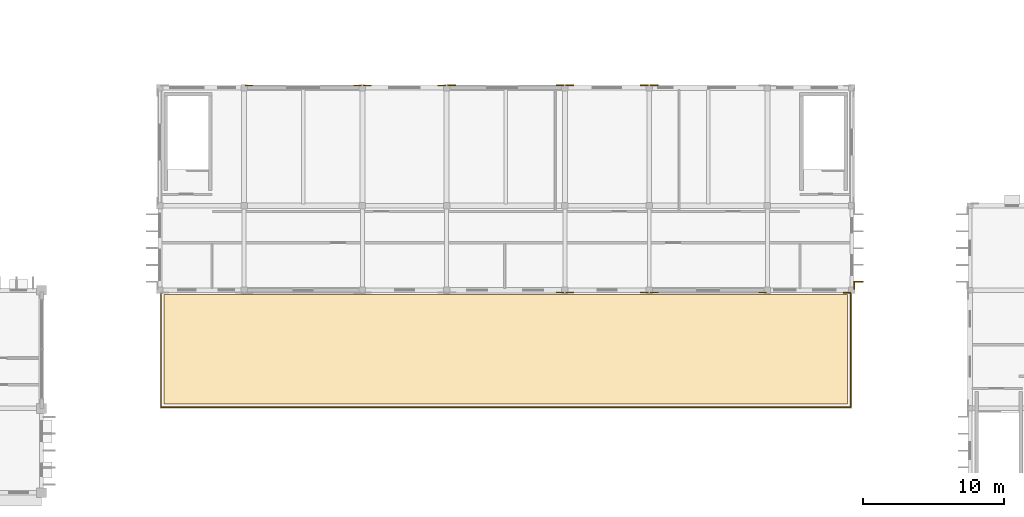
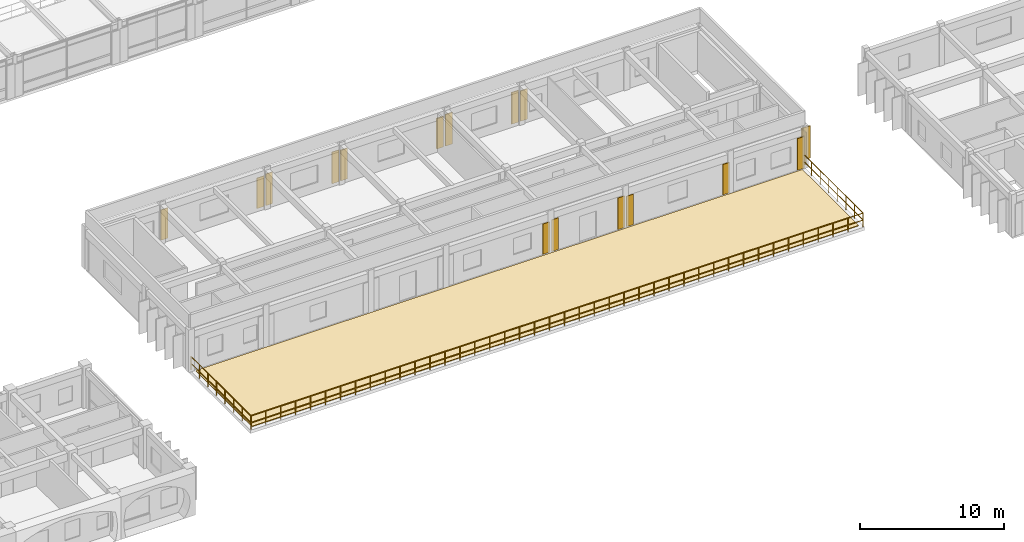
# One storey, part 74 of 88: 17 coverings, 1 railing, 1 shading device.
"""IFC4 building model written with IfcOpenShell, lengths in metres."""

from ifc_helpers import new_model, si_unit, direction, frame, origin, origin_2d, place, context, subcontext, project, spatial, polyline, rectangle, outline, extrude, material, layer, layer_set, type_object, element, save


model = new_model("IFC4")

# Units and contexts
model_context = context("Model", 3, precision=1e-05, world=origin(), true_north=direction((0.0, 1.0)))
body_context = subcontext(model_context, "Body", "Model", "MODEL_VIEW")
ifc_project = project(units=[si_unit("LENGTHUNIT", "METRE"), si_unit("AREAUNIT", "SQUARE_METRE"), si_unit("VOLUMEUNIT", "CUBIC_METRE"), si_unit("PLANEANGLEUNIT", "RADIAN"), si_unit("MASSUNIT", "GRAM", prefix="KILO"), si_unit("THERMODYNAMICTEMPERATUREUNIT", "KELVIN")], contexts=[model_context])

# Site, building, storey
site_placement = place(None, origin())
site = spatial("IfcSite", under=ifc_project, at=site_placement, CompositionType="ELEMENT")
building_placement = place(site_placement, origin())
building = spatial("IfcBuilding", under=site, at=building_placement, Name="Thalorik Housing Commons", CompositionType="ELEMENT")
storey_placement = place(building_placement, frame((0.0, 0.0, 4.5)))
storey = spatial("IfcBuildingStorey", under=building, at=storey_placement, Name="L01", CompositionType="ELEMENT", Elevation=4.5)

# Coverings
ifc_material_1 = material(Name="Cobalt blue glazed ceramic facade tile panel", Category="masonry")
ifc_layer_1 = layer(ifc_material_1, 0.06005859375, Name="Cobalt blue glazed ceramic facade tile panel", Category="masonry")
ifc_layer_set_1 = layer_set([ifc_layer_1], Name="Cobalt blue glazed ceramic facade tile panel")
covering_type_1 = type_object("IfcCoveringType", Name="ARC-CLD-BLU-60", PredefinedType="CLADDING", material=ifc_layer_set_1)
for number, where, z_axis, x_axis, name in (
    (1, (80.050048828125, 37.359619140625, 0.0498046875), (0.0, 0.0, 1.0), (-1.0, 0.0, 0.0), "L01 Architectural Facade Cladding 5311"),
    (2, (72.35009765625, 37.359619140625, 0.0498046875), (0.0, 0.0, 1.0), (-1.0, 0.0, 0.0), "L01 Architectural Facade Cladding 5312"),
):
    element("IfcCovering", number, at=place(storey_placement, frame(where, z_axis=z_axis, x_axis=x_axis)), inside=storey, type_object=covering_type_1, Name=name, PredefinedType="CLADDING", context=body_context, shape_type="SweptSolid", body=[
        extrude(rectangle(XDim=0.550048828125, YDim=0.06005859375, at=origin_2d()), origin(), (0.0, 0.0, 1.0), 2.574951171875),
    ])
ifc_material_2 = material(Name="Precast concrete C40/50", Category="concrete")
ifc_layer_2 = layer(ifc_material_2, 0.074951171875, Name="Precast concrete C40/50", Category="concrete")
ifc_layer_set_2 = layer_set([ifc_layer_2], Name="Precast concrete C40/50")
covering_type_2 = type_object("IfcCoveringType", Name="ARC-CLD-PIER-75", PredefinedType="CLADDING", material=ifc_layer_set_2)
for number, where, z_axis, x_axis, name in (
    (3, (114.85009765625, 22.633056640625, 0.0498046875), (0.0, 0.0, 1.0), (1.0, 0.0, 0.0), "L01 Architectural Facade Cladding 5296"),
    (4, (100.449951171875, 37.366943359375, 0.0498046875), (0.0, 0.0, 1.0), (-1.0, 0.0, 0.0), "L01 Architectural Facade Cladding 5305"),
    (5, (95.14990234375, 37.366943359375, 0.0498046875), (0.0, 0.0, 1.0), (-1.0, 0.0, 0.0), "L01 Architectural Facade Cladding 5306"),
):
    element("IfcCovering", number, at=place(storey_placement, frame(where, z_axis=z_axis, x_axis=x_axis)), inside=storey, type_object=covering_type_2, Name=name, PredefinedType="CLADDING", context=body_context, shape_type="SweptSolid", body=[
        extrude(rectangle(XDim=0.550048828125, YDim=0.074951171875, at=origin_2d()), origin(), (0.0, 0.0, 1.0), 2.675048828125),
    ])
ifc_layer_3 = layer(ifc_material_2, 0.090087890625, Name="Precast concrete C40/50", Category="concrete")
ifc_layer_set_3 = layer_set([ifc_layer_3], Name="Precast concrete C40/50")
covering_type_3 = type_object("IfcCoveringType", Name="ARC-CLD-PIER-90", PredefinedType="CLADDING", material=ifc_layer_set_3)
covering_1_placement = place(storey_placement, frame((115.37451171875, 23.14990234375, 0.050048828125), z_axis=(0.0, 0.0, 1.0), x_axis=(0.0, 1.0, 0.0)))
element("IfcCovering", 6, at=covering_1_placement, inside=storey, type_object=covering_type_3, Name="L01 Architectural Facade Cladding 5297", PredefinedType="CLADDING", context=body_context, shape_type="SweptSolid", body=[
    extrude(rectangle(XDim=0.550048828125, YDim=0.090087890625, at=origin_2d()), origin(), (0.0, 0.0, 1.0), 2.77490234375),
])
for number, where, z_axis, x_axis, name in (
    (7, (94.449951171875, 37.37451171875, 0.0498046875), (0.0, 0.0, 1.0), (-1.0, 0.0, 0.0), "L01 Architectural Facade Cladding 5307"),
    (8, (86.75, 37.37451171875, 0.0498046875), (0.0, 0.0, 1.0), (-1.0, 0.0, 0.0), "L01 Architectural Facade Cladding 5308"),
):
    element("IfcCovering", number, at=place(storey_placement, frame(where, z_axis=z_axis, x_axis=x_axis)), inside=storey, type_object=covering_type_3, Name=name, PredefinedType="CLADDING", context=body_context, shape_type="SweptSolid", body=[
        extrude(rectangle(XDim=0.550048828125, YDim=0.090087890625, at=origin_2d()), origin(), (0.0, 0.0, 1.0), 2.574951171875),
    ])
ifc_material_3 = material(Name="Terracotta red mineral fibre-cement panel", Category="masonry")
ifc_layer_4 = layer(ifc_material_3, 0.054931640625, Name="Terracotta red mineral fibre-cement panel", Category="masonry")
ifc_layer_set_4 = layer_set([ifc_layer_4], Name="Terracotta red mineral fibre-cement panel")
covering_type_4 = type_object("IfcCoveringType", Name="ARC-CLD-RED-55", PredefinedType="CLADDING", material=ifc_layer_set_4)
covering_2_placement = place(storey_placement, frame((94.449951171875, 22.64306640625, 0.0498046875), z_axis=(0.0, 0.0, 1.0), x_axis=(1.0, 0.0, 0.0)))
element("IfcCovering", 9, at=covering_2_placement, inside=storey, type_object=covering_type_4, Name="L01 Architectural Facade Cladding 5291", PredefinedType="CLADDING", context=body_context, shape_type="SweptSolid", body=[
    extrude(rectangle(XDim=0.550048828125, YDim=0.054931640625, at=origin_2d()), origin(), (0.0, 0.0, 1.0), 2.574951171875),
])
for number, where, z_axis, x_axis, name in (
    (10, (86.050048828125, 37.35693359375, 0.0498046875), (0.0, 0.0, 1.0), (-1.0, 0.0, 0.0), "L01 Architectural Facade Cladding 5309"),
    (11, (80.75, 37.35693359375, 0.0498046875), (0.0, 0.0, 1.0), (-1.0, 0.0, 0.0), "L01 Architectural Facade Cladding 5310"),
):
    element("IfcCovering", number, at=place(storey_placement, frame(where, z_axis=z_axis, x_axis=x_axis)), inside=storey, type_object=covering_type_4, Name=name, PredefinedType="CLADDING", context=body_context, shape_type="SweptSolid", body=[
        extrude(rectangle(XDim=0.550048828125, YDim=0.054931640625, at=origin_2d()), origin(), (0.0, 0.0, 1.0), 2.675048828125),
    ])
ifc_material_4 = material(Name="Mineral ochre architectural terracotta panel", Category="masonry")
ifc_layer_5 = layer(ifc_material_4, 0.06494140625, Name="Mineral ochre architectural terracotta panel", Category="masonry")
ifc_layer_set_5 = layer_set([ifc_layer_5], Name="Mineral ochre architectural terracotta panel")
covering_type_5 = type_object("IfcCoveringType", Name="ARC-CLD-YEL-65", PredefinedType="CLADDING", material=ifc_layer_set_5)
for number, where, z_axis, x_axis, name in (
    (12, (95.14990234375, 22.637939453125, 0.0498046875), (0.0, 0.0, 1.0), (1.0, 0.0, 0.0), "L01 Architectural Facade Cladding 5292"),
    (13, (100.449951171875, 22.637939453125, 0.0498046875), (0.0, 0.0, 1.0), (1.0, 0.0, 0.0), "L01 Architectural Facade Cladding 5293"),
):
    element("IfcCovering", number, at=place(storey_placement, frame(where, z_axis=z_axis, x_axis=x_axis)), inside=storey, type_object=covering_type_5, Name=name, PredefinedType="CLADDING", context=body_context, shape_type="SweptSolid", body=[
        extrude(rectangle(XDim=0.550048828125, YDim=0.06494140625, at=origin_2d()), origin(), (0.0, 0.0, 1.0), 2.675048828125),
    ])
for number, where, z_axis, x_axis, name in (
    (14, (101.14990234375, 22.637939453125, 0.0498046875), (0.0, 0.0, 1.0), (1.0, 0.0, 0.0), "L01 Architectural Facade Cladding 5294"),
    (15, (108.85009765625, 22.637939453125, 0.0498046875), (0.0, 0.0, 1.0), (1.0, 0.0, 0.0), "L01 Architectural Facade Cladding 5295"),
    (16, (101.14990234375, 37.362060546875, 0.0498046875), (0.0, 0.0, 1.0), (-1.0, 0.0, 0.0), "L01 Architectural Facade Cladding 5304"),
):
    element("IfcCovering", number, at=place(storey_placement, frame(where, z_axis=z_axis, x_axis=x_axis)), inside=storey, type_object=covering_type_5, Name=name, PredefinedType="CLADDING", context=body_context, shape_type="SweptSolid", body=[
        extrude(rectangle(XDim=0.550048828125, YDim=0.06494140625, at=origin_2d()), origin(), (0.0, 0.0, 1.0), 2.574951171875),
    ])

# Shading device
ifc_material_5 = material(Name="Oxide red precast concrete C40/50", Category="concrete")
shading_device_type = type_object("IfcShadingDeviceType", Name="ARC-FIN-RED-700", PredefinedType="USERDEFINED", material=ifc_material_5)
shading_device_placement = place(storey_placement, frame((115.677490234375, 23.39990234375, 0.119873046875), z_axis=(0.0, 0.0, 1.0), x_axis=(0.0, 1.0, 0.0)))
element("IfcShadingDevice", 17, at=shading_device_placement, inside=storey, type_object=shading_device_type, Name="L01 Vertical Precast Solar Fin 189", ObjectType="FIN", PredefinedType="USERDEFINED", context=body_context, shape_type="SweptSolid", body=[
    extrude(rectangle(XDim=0.074951171875, YDim=0.699951171875, at=origin_2d()), origin(), (0.0, 0.0, 1.0), 2.72509765625),
])

# Railing
ifc_material_6 = material(Name="Steel S355", Category="steel")
railing_type = type_object("IfcRailingType", Name="ARC-RL-TER-118", PredefinedType="GUARDRAIL", material=ifc_material_6)
railing_placement = place(storey_placement, frame((66.080078125, 22.800048828125, 0.0)))
element("IfcRailing", 18, at=railing_placement, inside=storey, type_object=railing_type, Name="L01 Podium Roof Garden Perimeter Guardrail", PredefinedType="GUARDRAIL", context=body_context, shape_type="SweptSolid", body=[
    extrude(rectangle(XDim=0.048095703125, YDim=0.048095703125, at=origin_2d()), frame((0.0, 0.0, 1.15576171875), z_axis=(0.0, -1.0, 0.0), x_axis=(1.0, 0.0, 0.0)), (0.0, 0.0, 1.0), 8.320068359375),
    extrude(rectangle(XDim=0.048095703125, YDim=0.048095703125, at=origin_2d()), frame((0.0, 0.0, 0.56591796875), z_axis=(0.0, -1.0, 0.0), x_axis=(1.0, 0.0, 0.0)), (0.0, 0.0, 1.0), 8.320068359375),
    extrude(rectangle(XDim=0.048095703125, YDim=0.048095703125, at=origin_2d()), frame((0.0, -8.320068359375, 1.15576171875), z_axis=(1.0, 0.0, 0.0), x_axis=(0.0, 1.0, 0.0)), (0.0, 0.0, 1.0), 49.0400390625),
    extrude(rectangle(XDim=0.048095703125, YDim=0.048095703125, at=origin_2d()), frame((0.0, -8.320068359375, 0.56591796875), z_axis=(1.0, 0.0, 0.0), x_axis=(0.0, 1.0, 0.0)), (0.0, 0.0, 1.0), 49.0400390625),
    extrude(rectangle(XDim=0.048095703125, YDim=0.048095703125, at=origin_2d()), frame((49.0400390625, -8.320068359375, 1.15576171875), z_axis=(0.0, 1.0, 0.0), x_axis=(-1.0, 0.0, 0.0)), (0.0, 0.0, 1.0), 8.320068359375),
    extrude(rectangle(XDim=0.048095703125, YDim=0.048095703125, at=origin_2d()), frame((49.0400390625, -8.320068359375, 0.56591796875), z_axis=(0.0, 1.0, 0.0), x_axis=(-1.0, 0.0, 0.0)), (0.0, 0.0, 1.0), 8.320068359375),
    extrude(rectangle(XDim=0.0419921875, YDim=0.0419921875, at=origin_2d()), origin(), (0.0, 0.0, 1.0), 1.1318359375),
    extrude(rectangle(XDim=0.0419921875, YDim=0.0419921875, at=origin_2d()), frame((0.0, -1.1884765625, 0.0)), (0.0, 0.0, 1.0), 1.1318359375),
    extrude(rectangle(XDim=0.0419921875, YDim=0.0419921875, at=origin_2d()), frame((0.0, -2.377197265625, 0.0)), (0.0, 0.0, 1.0), 1.1318359375),
    extrude(rectangle(XDim=0.0419921875, YDim=0.0419921875, at=origin_2d()), frame((0.0, -3.565673828125, 0.0)), (0.0, 0.0, 1.0), 1.1318359375),
    extrude(rectangle(XDim=0.0419921875, YDim=0.0419921875, at=origin_2d()), frame((0.0, -4.75439453125, 0.0)), (0.0, 0.0, 1.0), 1.1318359375),
    extrude(rectangle(XDim=0.0419921875, YDim=0.0419921875, at=origin_2d()), frame((0.0, -5.94287109375, 0.0)), (0.0, 0.0, 1.0), 1.1318359375),
    extrude(rectangle(XDim=0.0419921875, YDim=0.0419921875, at=origin_2d()), frame((0.0, -7.131591796875, 0.0)), (0.0, 0.0, 1.0), 1.1318359375),
    extrude(rectangle(XDim=0.0419921875, YDim=0.0419921875, at=origin_2d()), frame((0.0, -8.320068359375, 0.0)), (0.0, 0.0, 1.0), 1.1318359375),
    extrude(rectangle(XDim=0.0419921875, YDim=0.0419921875, at=origin_2d()), frame((1.196044921875, -8.320068359375, 0.0)), (0.0, 0.0, 1.0), 1.1318359375),
    extrude(rectangle(XDim=0.0419921875, YDim=0.0419921875, at=origin_2d()), frame((2.39208984375, -8.320068359375, 0.0)), (0.0, 0.0, 1.0), 1.1318359375),
    extrude(rectangle(XDim=0.0419921875, YDim=0.0419921875, at=origin_2d()), frame((3.58837890625, -8.320068359375, 0.0)), (0.0, 0.0, 1.0), 1.1318359375),
    extrude(rectangle(XDim=0.0419921875, YDim=0.0419921875, at=origin_2d()), frame((4.784423828125, -8.320068359375, 0.0)), (0.0, 0.0, 1.0), 1.1318359375),
    extrude(rectangle(XDim=0.0419921875, YDim=0.0419921875, at=origin_2d()), frame((5.98046875, -8.320068359375, 0.0)), (0.0, 0.0, 1.0), 1.1318359375),
    extrude(rectangle(XDim=0.0419921875, YDim=0.0419921875, at=origin_2d()), frame((7.176513671875, -8.320068359375, 0.0)), (0.0, 0.0, 1.0), 1.1318359375),
    extrude(rectangle(XDim=0.0419921875, YDim=0.0419921875, at=origin_2d()), frame((8.372802734375, -8.320068359375, 0.0)), (0.0, 0.0, 1.0), 1.1318359375),
    extrude(rectangle(XDim=0.0419921875, YDim=0.0419921875, at=origin_2d()), frame((9.56884765625, -8.320068359375, 0.0)), (0.0, 0.0, 1.0), 1.1318359375),
    extrude(rectangle(XDim=0.0419921875, YDim=0.0419921875, at=origin_2d()), frame((10.764892578125, -8.320068359375, 0.0)), (0.0, 0.0, 1.0), 1.1318359375),
    extrude(rectangle(XDim=0.0419921875, YDim=0.0419921875, at=origin_2d()), frame((11.9609375, -8.320068359375, 0.0)), (0.0, 0.0, 1.0), 1.1318359375),
    extrude(rectangle(XDim=0.0419921875, YDim=0.0419921875, at=origin_2d()), frame((13.156982421875, -8.320068359375, 0.0)), (0.0, 0.0, 1.0), 1.1318359375),
    extrude(rectangle(XDim=0.0419921875, YDim=0.0419921875, at=origin_2d()), frame((14.353271484375, -8.320068359375, 0.0)), (0.0, 0.0, 1.0), 1.1318359375),
    extrude(rectangle(XDim=0.0419921875, YDim=0.0419921875, at=origin_2d()), frame((15.54931640625, -8.320068359375, 0.0)), (0.0, 0.0, 1.0), 1.1318359375),
    extrude(rectangle(XDim=0.0419921875, YDim=0.0419921875, at=origin_2d()), frame((16.745361328125, -8.320068359375, 0.0)), (0.0, 0.0, 1.0), 1.1318359375),
    extrude(rectangle(XDim=0.0419921875, YDim=0.0419921875, at=origin_2d()), frame((17.94140625, -8.320068359375, 0.0)), (0.0, 0.0, 1.0), 1.1318359375),
    extrude(rectangle(XDim=0.0419921875, YDim=0.0419921875, at=origin_2d()), frame((19.1376953125, -8.320068359375, 0.0)), (0.0, 0.0, 1.0), 1.1318359375),
    extrude(rectangle(XDim=0.0419921875, YDim=0.0419921875, at=origin_2d()), frame((20.333740234375, -8.320068359375, 0.0)), (0.0, 0.0, 1.0), 1.1318359375),
    extrude(rectangle(XDim=0.0419921875, YDim=0.0419921875, at=origin_2d()), frame((21.52978515625, -8.320068359375, 0.0)), (0.0, 0.0, 1.0), 1.1318359375),
    extrude(rectangle(XDim=0.0419921875, YDim=0.0419921875, at=origin_2d()), frame((22.725830078125, -8.320068359375, 0.0)), (0.0, 0.0, 1.0), 1.1318359375),
    extrude(rectangle(XDim=0.0419921875, YDim=0.0419921875, at=origin_2d()), frame((23.921875, -8.320068359375, 0.0)), (0.0, 0.0, 1.0), 1.1318359375),
    extrude(rectangle(XDim=0.0419921875, YDim=0.0419921875, at=origin_2d()), frame((25.1181640625, -8.320068359375, 0.0)), (0.0, 0.0, 1.0), 1.1318359375),
    extrude(rectangle(XDim=0.0419921875, YDim=0.0419921875, at=origin_2d()), frame((26.314208984375, -8.320068359375, 0.0)), (0.0, 0.0, 1.0), 1.1318359375),
    extrude(rectangle(XDim=0.0419921875, YDim=0.0419921875, at=origin_2d()), frame((27.51025390625, -8.320068359375, 0.0)), (0.0, 0.0, 1.0), 1.1318359375),
    extrude(rectangle(XDim=0.0419921875, YDim=0.0419921875, at=origin_2d()), frame((28.706298828125, -8.320068359375, 0.0)), (0.0, 0.0, 1.0), 1.1318359375),
    extrude(rectangle(XDim=0.0419921875, YDim=0.0419921875, at=origin_2d()), frame((29.90234375, -8.320068359375, 0.0)), (0.0, 0.0, 1.0), 1.1318359375),
    extrude(rectangle(XDim=0.0419921875, YDim=0.0419921875, at=origin_2d()), frame((31.0986328125, -8.320068359375, 0.0)), (0.0, 0.0, 1.0), 1.1318359375),
    extrude(rectangle(XDim=0.0419921875, YDim=0.0419921875, at=origin_2d()), frame((32.294677734375, -8.320068359375, 0.0)), (0.0, 0.0, 1.0), 1.1318359375),
    extrude(rectangle(XDim=0.0419921875, YDim=0.0419921875, at=origin_2d()), frame((33.49072265625, -8.320068359375, 0.0)), (0.0, 0.0, 1.0), 1.1318359375),
    extrude(rectangle(XDim=0.0419921875, YDim=0.0419921875, at=origin_2d()), frame((34.686767578125, -8.320068359375, 0.0)), (0.0, 0.0, 1.0), 1.1318359375),
    extrude(rectangle(XDim=0.0419921875, YDim=0.0419921875, at=origin_2d()), frame((35.883056640625, -8.320068359375, 0.0)), (0.0, 0.0, 1.0), 1.1318359375),
    extrude(rectangle(XDim=0.0419921875, YDim=0.0419921875, at=origin_2d()), frame((37.0791015625, -8.320068359375, 0.0)), (0.0, 0.0, 1.0), 1.1318359375),
    extrude(rectangle(XDim=0.0419921875, YDim=0.0419921875, at=origin_2d()), frame((38.275146484375, -8.320068359375, 0.0)), (0.0, 0.0, 1.0), 1.1318359375),
    extrude(rectangle(XDim=0.0419921875, YDim=0.0419921875, at=origin_2d()), frame((39.47119140625, -8.320068359375, 0.0)), (0.0, 0.0, 1.0), 1.1318359375),
    extrude(rectangle(XDim=0.0419921875, YDim=0.0419921875, at=origin_2d()), frame((40.667236328125, -8.320068359375, 0.0)), (0.0, 0.0, 1.0), 1.1318359375),
    extrude(rectangle(XDim=0.0419921875, YDim=0.0419921875, at=origin_2d()), frame((41.863525390625, -8.320068359375, 0.0)), (0.0, 0.0, 1.0), 1.1318359375),
    extrude(rectangle(XDim=0.0419921875, YDim=0.0419921875, at=origin_2d()), frame((43.0595703125, -8.320068359375, 0.0)), (0.0, 0.0, 1.0), 1.1318359375),
    extrude(rectangle(XDim=0.0419921875, YDim=0.0419921875, at=origin_2d()), frame((44.255615234375, -8.320068359375, 0.0)), (0.0, 0.0, 1.0), 1.1318359375),
    extrude(rectangle(XDim=0.0419921875, YDim=0.0419921875, at=origin_2d()), frame((45.45166015625, -8.320068359375, 0.0)), (0.0, 0.0, 1.0), 1.1318359375),
    extrude(rectangle(XDim=0.0419921875, YDim=0.0419921875, at=origin_2d()), frame((46.64794921875, -8.320068359375, 0.0)), (0.0, 0.0, 1.0), 1.1318359375),
    extrude(rectangle(XDim=0.0419921875, YDim=0.0419921875, at=origin_2d()), frame((47.843994140625, -8.320068359375, 0.0)), (0.0, 0.0, 1.0), 1.1318359375),
    extrude(rectangle(XDim=0.0419921875, YDim=0.0419921875, at=origin_2d()), frame((49.0400390625, -8.320068359375, 0.0)), (0.0, 0.0, 1.0), 1.1318359375),
    extrude(rectangle(XDim=0.0419921875, YDim=0.0419921875, at=origin_2d()), frame((49.0400390625, -7.131591796875, 0.0)), (0.0, 0.0, 1.0), 1.1318359375),
    extrude(rectangle(XDim=0.0419921875, YDim=0.0419921875, at=origin_2d()), frame((49.0400390625, -5.94287109375, 0.0)), (0.0, 0.0, 1.0), 1.1318359375),
    extrude(rectangle(XDim=0.0419921875, YDim=0.0419921875, at=origin_2d()), frame((49.0400390625, -4.75439453125, 0.0)), (0.0, 0.0, 1.0), 1.1318359375),
    extrude(rectangle(XDim=0.0419921875, YDim=0.0419921875, at=origin_2d()), frame((49.0400390625, -3.565673828125, 0.0)), (0.0, 0.0, 1.0), 1.1318359375),
    extrude(rectangle(XDim=0.0419921875, YDim=0.0419921875, at=origin_2d()), frame((49.0400390625, -2.377197265625, 0.0)), (0.0, 0.0, 1.0), 1.1318359375),
    extrude(rectangle(XDim=0.0419921875, YDim=0.0419921875, at=origin_2d()), frame((49.0400390625, -1.1884765625, 0.0)), (0.0, 0.0, 1.0), 1.1318359375),
    extrude(rectangle(XDim=0.0419921875, YDim=0.0419921875, at=origin_2d()), frame((49.0400390625, 0.0, 0.0)), (0.0, 0.0, 1.0), 1.1318359375),
])

# Covering
ifc_material_7 = material(Name="Planted extensive roof substrate and root-barrier membrane")
ifc_layer_6 = layer(ifc_material_7, 0.1201171875, Name="Planted extensive roof substrate and root-barrier membrane")
ifc_layer_set_6 = layer_set([ifc_layer_6], Name="Planted extensive roof substrate and root-barrier membrane")
covering_type_6 = type_object("IfcCoveringType", Name="ARC-ROOF-GRN-120", PredefinedType="ROOFING", material=ifc_layer_set_6)
covering_3_placement = place(storey_placement, origin())
element("IfcCovering", 19, at=covering_3_placement, inside=storey, type_object=covering_type_6, Name="L01 Podium Roof Garden Planted Substrate", PredefinedType="ROOFING", context=body_context, shape_type="SweptSolid", body=[
    extrude(outline(polyline([(66.300048828125, 14.699951171875), (114.89990234375, 14.699951171875), (114.89990234375, 22.5), (66.300048828125, 22.5), (66.300048828125, 14.699951171875)])), origin(), (0.0, 0.0, 1.0), 0.06005859375),
])

save(model, "model.ifc")
